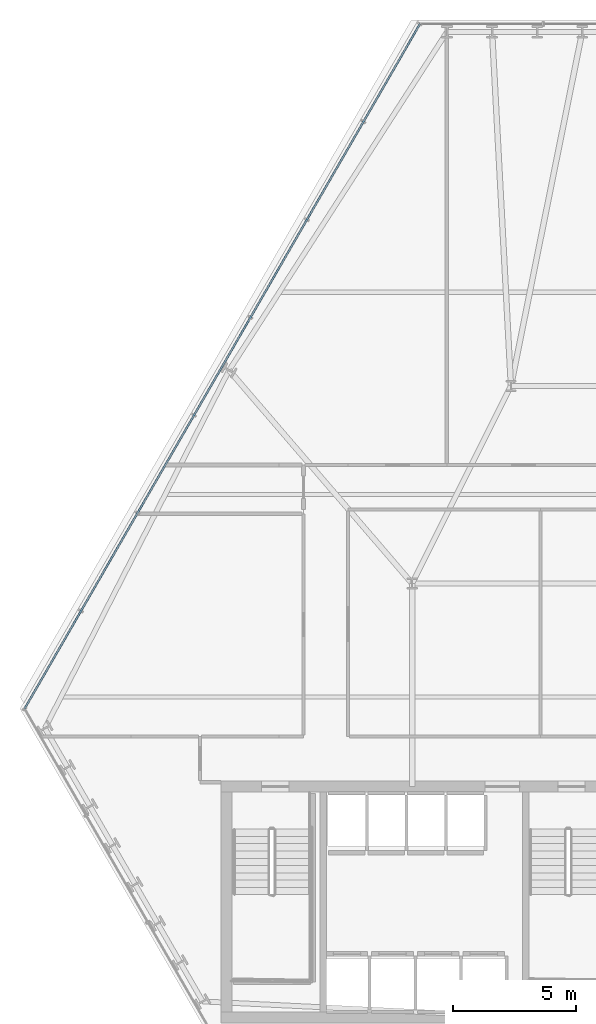
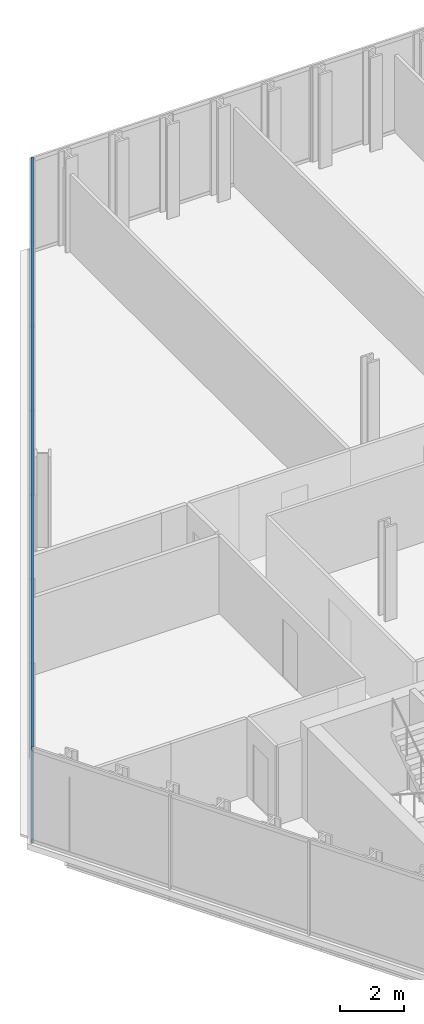
# One storey, part 13 of 32: 2 members, 1 element without a shape of its own.
"""IFC4 building model written with IfcOpenShell, lengths in metres."""

from ifc_helpers import new_model, si_unit, direction, frame, origin, origin_2d, place, context, subcontext, project, spatial, hollow_rectangle, extrude, material, layer, layer_set, material_profile, profile_set, type_object, element, aggregate, save


model = new_model("IFC4")

# Units and contexts
model_context = context("Model", 3, precision=1e-05, world=origin(), true_north=direction((0.0, 1.0)))
body_context = subcontext(model_context, "Body", "Model", "MODEL_VIEW")
ifc_project = project(units=[si_unit("LENGTHUNIT", "METRE"), si_unit("AREAUNIT", "SQUARE_METRE"), si_unit("VOLUMEUNIT", "CUBIC_METRE"), si_unit("PLANEANGLEUNIT", "RADIAN"), si_unit("MASSUNIT", "GRAM", prefix="KILO")], contexts=[model_context])

# Site, building, storey
site_placement = place(None, origin())
site = spatial("IfcSite", under=ifc_project, at=site_placement, CompositionType="ELEMENT")
building_placement = place(site_placement, origin())
building = spatial("IfcBuilding", under=site, at=building_placement, Name="Ndaravel Arena Tower", CompositionType="ELEMENT")
storey_placement = place(building_placement, frame((0.0, 0.0, 70.199951171875)))
storey = spatial("IfcBuildingStorey", under=building, at=storey_placement, Name="L15", CompositionType="ELEMENT", Elevation=70.199951171875)

# Curtain wall, members
ifc_material_1 = material(Name="Aluminium", Category="aluminium")
ifc_layer = layer(ifc_material_1, 0.179931640625)
ifc_layer_set = layer_set([ifc_layer], Name="Aluminium")
curtain_wall_type = type_object("IfcCurtainWallType", Name="CW-SYS-03", PredefinedType="NOTDEFINED", material=ifc_layer_set)
curtain_wall_placement = place(storey_placement, origin())
curtain_wall = element("IfcCurtainWall", 1, at=curtain_wall_placement, inside=storey, type_object=curtain_wall_type, Name="L15 Faceted Crystal Curtain Wall CW-L15-E05", PredefinedType="NOTDEFINED")
ifc_material_2 = material(Name="Aluminium", Category="aluminium")
ifc_material_profile = material_profile(ifc_material_2, hollow_rectangle(XDim=0.074951171875, YDim=0.14990234375, WallThickness=0.00390625, at=origin_2d()), Name="CW TRANSOM 75x150x4")
ifc_profile_set = profile_set([ifc_material_profile], Name="Aluminium")
member_type = type_object("IfcMemberType", Name="MEM-CW-TRN150", PredefinedType="USERDEFINED", material=ifc_profile_set)
member_1_placement = place(storey_placement, frame((34.513427734375, 45.865478515625, 0.0400390625), z_axis=(-0.500004412291, -0.866022856332, 0.0), x_axis=(0.866022856332, -0.500004412291, 0.0)))
member_1 = element("IfcMember", 2, at=member_1_placement, type_object=member_type, Name="CW-L15-E05 Transom 01", ObjectType="TRANSOM", PredefinedType="USERDEFINED", context=body_context, shape_type="SweptSolid", body=[
    extrude(hollow_rectangle(XDim=0.074951171875, YDim=0.14990234375, WallThickness=0.00390625, at=origin_2d()), origin(), (0.0, 0.0, 1.0), 32.029541015625),
])
member_2_placement = place(storey_placement, frame((34.513427734375, 45.865478515625, 3.5400390625), z_axis=(-0.500004412291, -0.866022856332, 0.0), x_axis=(0.866022856332, -0.500004412291, 0.0)))
member_2 = element("IfcMember", 3, at=member_2_placement, type_object=member_type, Name="CW-L15-E05 Transom 02", ObjectType="TRANSOM", PredefinedType="USERDEFINED", context=body_context, shape_type="SweptSolid", body=[
    extrude(hollow_rectangle(XDim=0.074951171875, YDim=0.14990234375, WallThickness=0.00390625, at=origin_2d()), origin(), (0.0, 0.0, 1.0), 32.029541015625),
])
aggregate(curtain_wall, [member_1, member_2])

save(model, "model.ifc")
